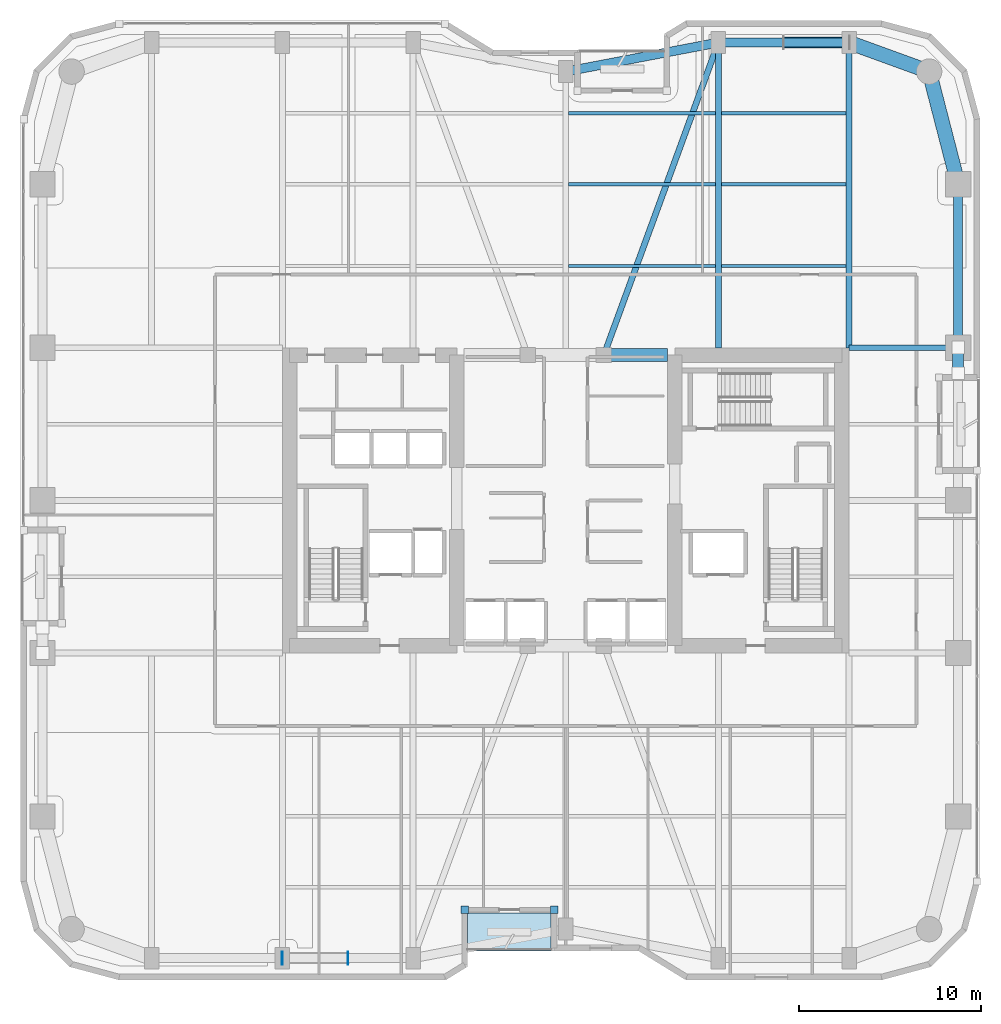
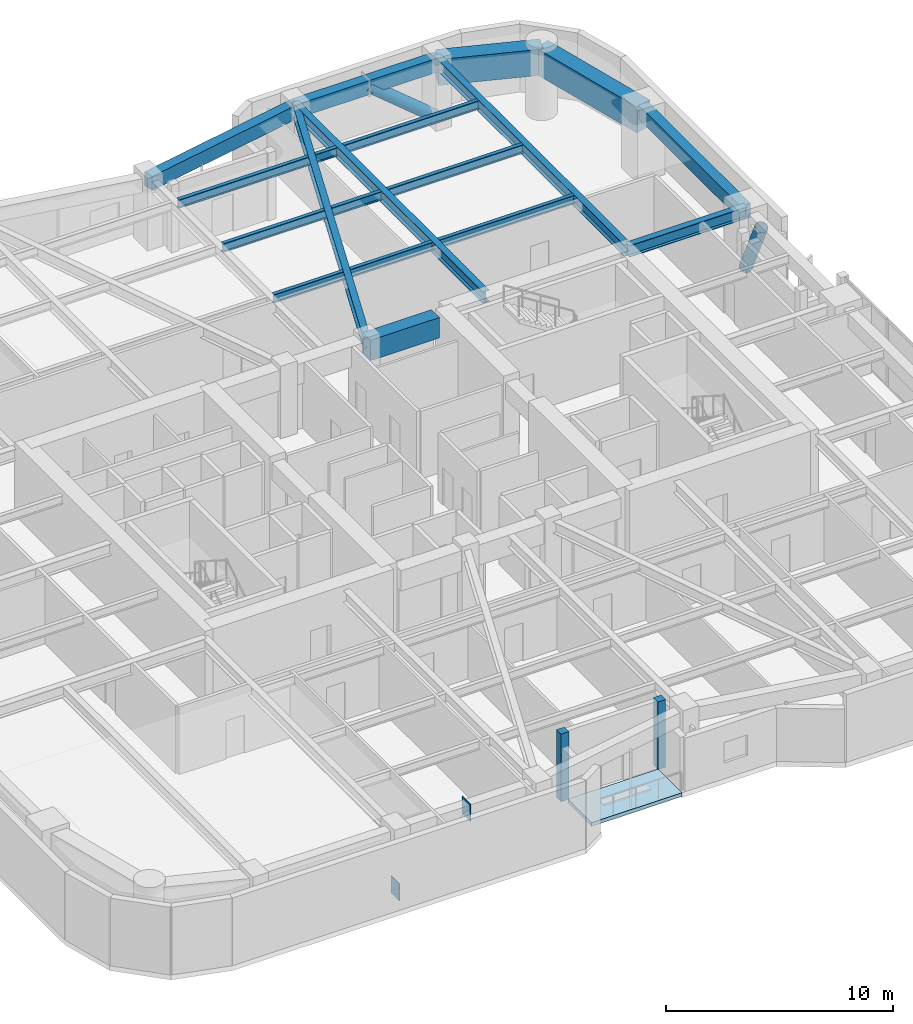
# One storey, part 15 of 24: 16 beams, 4 plates, 2 members, 1 slab.
"""IFC4 building model written with IfcOpenShell, lengths in metres."""

from ifc_helpers import new_model, si_unit, direction, frame, origin, origin_2d, place, context, subcontext, project, spatial, polyline, rectangle, hollow_circle, i_section, outline, extrude, material, layer, layer_set, material_profile, profile_set, type_object, element, save


model = new_model("IFC4")

# Units and contexts
model_context = context("Model", 3, precision=1e-05, world=origin(), true_north=direction((0.0, 1.0)))
body_context = subcontext(model_context, "Body", "Model", "MODEL_VIEW")
ifc_project = project(units=[si_unit("LENGTHUNIT", "METRE"), si_unit("AREAUNIT", "SQUARE_METRE"), si_unit("VOLUMEUNIT", "CUBIC_METRE"), si_unit("PLANEANGLEUNIT", "RADIAN"), si_unit("MASSUNIT", "GRAM", prefix="KILO")], contexts=[model_context])

# Site, building, storey
site_placement = place(None, origin())
site = spatial("IfcSite", under=ifc_project, at=site_placement, CompositionType="ELEMENT")
building_placement = place(site_placement, origin())
building = spatial("IfcBuilding", under=site, at=building_placement, Name="Kiyonajd Concourse Tower", CompositionType="ELEMENT")
storey_placement = place(building_placement, frame((0.0, 0.0, 117.0)))
storey = spatial("IfcBuildingStorey", under=building, at=storey_placement, Name="L30", CompositionType="ELEMENT", Elevation=117.0)

# Beams
ifc_material_1 = material(Name="Concrete C70/85", Category="concrete")
ifc_material_profile_1 = material_profile(ifc_material_1, rectangle(XDim=0.699951171875, YDim=1.10009765625, at=origin_2d()), Name="RCBM-700x1100")
ifc_profile_set_1 = profile_set([ifc_material_profile_1], Name="Concrete C70/85")
beam_type_1 = type_object("IfcBeamType", Name="BM-COUP-1100", PredefinedType="LINTEL", material=ifc_profile_set_1)
beam_1_placement = place(storey_placement, frame((50.10009765625, 44.0, 3.090087890625), z_axis=(1.0, 0.0, 0.0), x_axis=(0.0, 1.0, 0.0)))
element("IfcBeam", 1, at=beam_1_placement, inside=storey, type_object=beam_type_1, Name="L30 Core Coupling Beam N3", PredefinedType="LINTEL", context=body_context, shape_type="SweptSolid", body=[
    extrude(rectangle(XDim=0.699951171875, YDim=1.10009765625, at=origin_2d()), origin(), (0.0, 0.0, 1.0), 3.5),
])
ifc_material_2 = material(Name="Steel ASTM A992 Grade 50", Category="steel")
ifc_material_profile_2 = material_profile(ifc_material_2, i_section(OverallWidth=0.19189453125, OverallDepth=0.462890625, WebThickness=0.010498046875, FlangeThickness=0.017578125, at=origin_2d()), Name="W460X89")
ifc_profile_set_2 = profile_set([ifc_material_profile_2], Name="Steel ASTM A992 Grade 50")
beam_type_2 = type_object("IfcBeamType", Name="BM-JST-460B", PredefinedType="JOIST", material=ifc_profile_set_2)
beam_2_placement = place(storey_placement, frame((48.16357421875, 48.89990234375, 3.408447265625), z_axis=(1.0, 0.0, 0.0), x_axis=(0.0, 1.0, 0.0)))
element("IfcBeam", 2, at=beam_2_placement, inside=storey, type_object=beam_type_2, Name="L30 Secondary Floor Joist", PredefinedType="JOIST", context=body_context, shape_type="SweptSolid", body=[
    extrude(i_section(OverallWidth=0.19189453125, OverallDepth=0.462890625, WebThickness=0.010498046875, FlangeThickness=0.017578125, at=origin_2d()), origin(), (0.0, 0.0, 1.0), 8.072998046875),
])
beam_3_placement = place(storey_placement, frame((56.5634765625, 48.89990234375, 3.408447265625), z_axis=(1.0, 0.0, 0.0), x_axis=(0.0, 1.0, 0.0)))
element("IfcBeam", 3, at=beam_3_placement, inside=storey, type_object=beam_type_2, Name="L30 Secondary Floor Joist", PredefinedType="JOIST", context=body_context, shape_type="SweptSolid", body=[
    extrude(i_section(OverallWidth=0.19189453125, OverallDepth=0.462890625, WebThickness=0.010498046875, FlangeThickness=0.017578125, at=origin_2d()), origin(), (0.0, 0.0, 1.0), 6.873046875),
])
beam_4_placement = place(storey_placement, frame((48.16357421875, 53.39990234375, 3.408447265625), z_axis=(1.0, 0.0, 0.0), x_axis=(0.0, 1.0, 0.0)))
element("IfcBeam", 4, at=beam_4_placement, inside=storey, type_object=beam_type_2, Name="L30 Secondary Floor Joist", PredefinedType="JOIST", context=body_context, shape_type="SweptSolid", body=[
    extrude(i_section(OverallWidth=0.19189453125, OverallDepth=0.462890625, WebThickness=0.010498046875, FlangeThickness=0.017578125, at=origin_2d()), origin(), (0.0, 0.0, 1.0), 8.072998046875),
])
beam_5_placement = place(storey_placement, frame((56.5634765625, 53.39990234375, 3.408447265625), z_axis=(1.0, 0.0, 0.0), x_axis=(0.0, 1.0, 0.0)))
element("IfcBeam", 5, at=beam_5_placement, inside=storey, type_object=beam_type_2, Name="L30 Secondary Floor Joist", PredefinedType="JOIST", context=body_context, shape_type="SweptSolid", body=[
    extrude(i_section(OverallWidth=0.19189453125, OverallDepth=0.462890625, WebThickness=0.010498046875, FlangeThickness=0.017578125, at=origin_2d()), origin(), (0.0, 0.0, 1.0), 6.873046875),
])
beam_6_placement = place(storey_placement, frame((48.16357421875, 57.300048828125, 3.408447265625), z_axis=(1.0, 0.0, 0.0), x_axis=(0.0, 1.0, 0.0)))
element("IfcBeam", 6, at=beam_6_placement, inside=storey, type_object=beam_type_2, Name="L30 Secondary Floor Joist", PredefinedType="JOIST", context=body_context, shape_type="SweptSolid", body=[
    extrude(i_section(OverallWidth=0.19189453125, OverallDepth=0.462890625, WebThickness=0.010498046875, FlangeThickness=0.017578125, at=origin_2d()), origin(), (0.0, 0.0, 1.0), 8.072998046875),
])
beam_7_placement = place(storey_placement, frame((56.5634765625, 57.300048828125, 3.408447265625), z_axis=(1.0, 0.0, 0.0), x_axis=(0.0, 1.0, 0.0)))
element("IfcBeam", 7, at=beam_7_placement, inside=storey, type_object=beam_type_2, Name="L30 Secondary Floor Joist", PredefinedType="JOIST", context=body_context, shape_type="SweptSolid", body=[
    extrude(i_section(OverallWidth=0.19189453125, OverallDepth=0.462890625, WebThickness=0.010498046875, FlangeThickness=0.017578125, at=origin_2d()), origin(), (0.0, 0.0, 1.0), 6.873046875),
])
ifc_material_3 = material(Name="Precast concrete C50/60", Category="concrete")
ifc_material_profile_3 = material_profile(ifc_material_3, rectangle(XDim=0.5, YDim=0.75, at=origin_2d()), Name="RCBM-500x750")
ifc_profile_set_3 = profile_set([ifc_material_profile_3], Name="Precast concrete C50/60")
beam_type_3 = type_object("IfcBeamType", Name="BM-SPAN-RC", PredefinedType="SPANDREL", material=ifc_profile_set_3)
beam_8_placement = place(storey_placement, frame((69.60009765625, 44.39990234375, 3.264892578125), z_axis=(0.0, 1.0, 0.0), x_axis=(-1.0, 0.0, 0.0)))
element("IfcBeam", 8, at=beam_8_placement, inside=storey, type_object=beam_type_3, Name="L30 Perimeter Bundled Tube Spandrel", PredefinedType="SPANDREL", context=body_context, shape_type="SweptSolid", body=[
    extrude(rectangle(XDim=0.5, YDim=0.75, at=origin_2d()), origin(), (0.0, 0.0, 1.0), 9.0),
])
beam_9_placement = place(storey_placement, frame((63.60009765625, 61.199951171875, 3.264892578125), z_axis=(-1.0, 0.0, 0.0), x_axis=(0.0, -1.0, 0.0)))
element("IfcBeam", 9, at=beam_9_placement, inside=storey, type_object=beam_type_3, Name="L30 Perimeter Bundled Tube Spandrel", PredefinedType="SPANDREL", context=body_context, shape_type="SweptSolid", body=[
    extrude(rectangle(XDim=0.5, YDim=0.75, at=origin_2d()), origin(), (0.0, 0.0, 1.0), 7.2001953125),
])
beam_10_placement = place(storey_placement, frame((56.39990234375, 61.199951171875, 3.264892578125), z_axis=(-0.982341315253, -0.187097675953, 0.0), x_axis=(0.187097675953, -0.982341315253, 0.0)))
element("IfcBeam", 10, at=beam_10_placement, inside=storey, type_object=beam_type_3, Name="L30 Perimeter Bundled Tube Spandrel", PredefinedType="SPANDREL", context=body_context, shape_type="SweptSolid", body=[
    extrude(rectangle(XDim=0.5, YDim=0.75, at=origin_2d()), origin(), (0.0, 0.0, 1.0), 8.55078125),
])
ifc_material_profile_4 = material_profile(ifc_material_2, i_section(OverallWidth=0.326904296875, OverallDepth=0.6220703125, WebThickness=0.015380859375, FlangeThickness=0.0244140625, at=origin_2d()), Name="W610X195")
ifc_profile_set_4 = profile_set([ifc_material_profile_4], Name="Steel ASTM A992 Grade 50")
beam_type_4 = type_object("IfcBeamType", Name="BM-TWR-610A", PredefinedType="BEAM", material=ifc_profile_set_4)
beam_11_placement = place(storey_placement, frame((50.10009765625, 44.0, 3.3291015625), z_axis=(0.343925269715, 0.938997022813, 0.0), x_axis=(-0.938997022813, 0.343925269715, 0.0)))
element("IfcBeam", 11, at=beam_11_placement, inside=storey, type_object=beam_type_4, Name="L30 Core Tie Girder", PredefinedType="BEAM", context=body_context, shape_type="SweptSolid", body=[
    extrude(i_section(OverallWidth=0.326904296875, OverallDepth=0.6220703125, WebThickness=0.015380859375, FlangeThickness=0.0244140625, at=origin_2d()), origin(), (0.0, 0.0, 1.0), 18.3173828125),
])
for number, where, z_axis, x_axis, name in (
    (12, (56.39990234375, 44.39990234375, 3.3291015625), (0.0, 1.0, 0.0), (-1.0, 0.0, 0.0), "L30 North Lease Girder"),
    (13, (63.60009765625, 44.39990234375, 3.3291015625), (0.0, 1.0, 0.0), (-1.0, 0.0, 0.0), "L30 North Lease Girder"),
):
    element("IfcBeam", number, at=place(storey_placement, frame(where, z_axis=z_axis, x_axis=x_axis)), inside=storey, type_object=beam_type_4, Name=name, PredefinedType="BEAM", context=body_context, shape_type="SweptSolid", body=[
        extrude(i_section(OverallWidth=0.326904296875, OverallDepth=0.6220703125, WebThickness=0.015380859375, FlangeThickness=0.0244140625, at=origin_2d()), origin(), (0.0, 0.0, 1.0), 16.800048828125),
    ])
beam_12_placement = place(storey_placement, frame((63.60009765625, 44.39990234375, 3.3291015625), z_axis=(1.0, 0.0, 0.0), x_axis=(0.0, 1.0, 0.0)))
element("IfcBeam", 14, at=beam_12_placement, inside=storey, type_object=beam_type_4, Name="L30 East Lease Girder", PredefinedType="BEAM", context=body_context, shape_type="SweptSolid", body=[
    extrude(i_section(OverallWidth=0.326904296875, OverallDepth=0.6220703125, WebThickness=0.015380859375, FlangeThickness=0.0244140625, at=origin_2d()), origin(), (0.0, 0.0, 1.0), 6.0),
])
ifc_material_4 = material(Name="Concrete C60/75", Category="concrete")
ifc_material_profile_5 = material_profile(ifc_material_4, rectangle(XDim=0.800048828125, YDim=1.39990234375, at=origin_2d()), Name="RCBM-800x1400")
ifc_profile_set_5 = profile_set([ifc_material_profile_5], Name="Concrete C60/75")
beam_type_5 = type_object("IfcBeamType", Name="BM-XFER-RC", PredefinedType="BEAM", material=ifc_profile_set_5)
beam_13_placement = place(storey_placement, frame((69.60009765625, 53.39990234375, 2.93994140625), z_axis=(-0.249884937687, 0.968275538221, 0.0), x_axis=(-0.968275538221, -0.249884937687, 0.0)))
element("IfcBeam", 15, at=beam_13_placement, inside=storey, type_object=beam_type_5, Name="L30 Perimeter Bundled Tube Spandrel", PredefinedType="BEAM", context=body_context, shape_type="SweptSolid", body=[
    extrude(rectangle(XDim=0.800048828125, YDim=1.39990234375, at=origin_2d()), origin(), (0.0, 0.0, 1.0), 6.4033203125),
])
beam_14_placement = place(storey_placement, frame((68.0, 59.60009765625, 2.93994140625), z_axis=(-0.939801036019, 0.341722127901, 0.0), x_axis=(-0.341722127901, -0.939801036019, 0.0)))
element("IfcBeam", 16, at=beam_14_placement, inside=storey, type_object=beam_type_5, Name="L30 Perimeter Bundled Tube Spandrel", PredefinedType="BEAM", context=body_context, shape_type="SweptSolid", body=[
    extrude(rectangle(XDim=0.800048828125, YDim=1.39990234375, at=origin_2d()), origin(), (0.0, 0.0, 1.0), 4.681640625),
])

# Members
ifc_material_5 = material(Name="Steel ASTM A572 Grade 50", Category="steel")
ifc_material_profile_6 = material_profile(ifc_material_5, hollow_circle(Radius=0.304931640625, WallThickness=0.02490234375, at=origin_2d()), Name="CHS-610x25")
ifc_profile_set_6 = profile_set([ifc_material_profile_6], Name="Steel ASTM A572 Grade 50")
member_type = type_object("IfcMemberType", Name="MB-PB-LOW", PredefinedType="BRACE", material=ifc_profile_set_6)
member_1_placement = place(storey_placement, frame((63.60009765625, 61.199951171875, 0.300048828125), z_axis=(-0.769280705518, 0.0, 0.638910945373), x_axis=(0.0, -1.0, 0.0)))
element("IfcMember", 17, at=member_1_placement, inside=storey, type_object=member_type, Name="L30 Lower Zone Welded Tube Brace PBN", PredefinedType="BRACE", context=body_context, shape_type="SweptSolid", body=[
    extrude(hollow_circle(Radius=0.304931640625, WallThickness=0.02490234375, at=origin_2d()), origin(), (0.0, 0.0, 1.0), 4.679931640625),
])
member_2_placement = place(storey_placement, frame((69.60009765625, 44.39990234375, 0.300048828125), z_axis=(0.0, -0.424022702926, 0.905651559598), x_axis=(1.0, 0.0, 0.0)))
element("IfcMember", 18, at=member_2_placement, inside=storey, type_object=member_type, Name="L30 Lower Zone Welded Tube Brace PBE", PredefinedType="BRACE", context=body_context, shape_type="SweptSolid", body=[
    extrude(hollow_circle(Radius=0.304931640625, WallThickness=0.02490234375, at=origin_2d()), origin(), (0.0, 0.0, 1.0), 3.301513671875),
])

# Plates
ifc_layer_1 = layer(ifc_material_5, 0.028076171875)
ifc_layer_set_1 = layer_set([ifc_layer_1], Name="Steel ASTM A572 Grade 50")
plate_type_1 = type_object("IfcPlateType", Name="PL-CAP-450", PredefinedType="USERDEFINED", material=ifc_layer_set_1)
for number, where, z_axis, x_axis, name in (
    (19, (32.3916015625, 10.800048828125, -0.173583984375), (0.0, 0.0, 1.0), (-1.0, 0.0, 0.0), "L30 Hollow Brace End Cap Plate PBS"),
    (20, (36.008544921875, 10.800048828125, 2.83056640625), (0.0, 0.0, 1.0), (1.0, 0.0, 0.0), "L30 Hollow Brace Top Cap Plate PBS"),
):
    element("IfcPlate", number, at=place(storey_placement, frame(where, z_axis=z_axis, x_axis=x_axis)), inside=storey, type_object=plate_type_1, Name=name, ObjectType="CAP PLATE", PredefinedType="USERDEFINED", context=body_context, shape_type="SweptSolid", body=[
        extrude(rectangle(XDim=0.035888671875, YDim=0.72998046875, at=origin_2d()), origin(), (0.0, 0.0, 1.0), 0.93310546875),
    ])
ifc_material_6 = material(Name="Thermally Broken Anodised Aluminium", Category="aluminium")
ifc_layer_2 = layer(ifc_material_6, 0.39990234375)
ifc_layer_set_2 = layer_set([ifc_layer_2], Name="Thermally Broken Anodised Aluminium")
plate_type_2 = type_object("IfcPlateType", Name="PL-JMB-400", PredefinedType="USERDEFINED", material=ifc_layer_set_2)
for number, where, z_axis, x_axis, name in (
    (21, (47.360107421875, 13.4599609375, 0.0), (0.0, 0.0, 1.0), (1.0, 0.0, 0.0), "L30 Facade Jamb Closure Plate 13"),
    (22, (42.43994140625, 13.4599609375, 0.0), (0.0, 0.0, 1.0), (1.0, 0.0, 0.0), "L30 Facade Jamb Closure Plate 14"),
):
    element("IfcPlate", number, at=place(storey_placement, frame(where, z_axis=z_axis, x_axis=x_axis)), inside=storey, type_object=plate_type_2, Name=name, ObjectType="JAMB PLATE", PredefinedType="USERDEFINED", context=body_context, shape_type="SweptSolid", body=[
        extrude(rectangle(XDim=0.39990234375, YDim=0.39990234375, at=origin_2d()), origin(), (0.0, 0.0, 1.0), 3.639892578125),
    ])

# Slab
ifc_layer_3 = layer(ifc_material_3, 0.199951171875)
ifc_layer_set_3 = layer_set([ifc_layer_3], Name="Precast concrete C50/60")
slab_type = type_object("IfcSlabType", Name="SL-LOG-200", PredefinedType="FLOOR", material=ifc_layer_set_3)
slab_placement = place(storey_placement, frame((0.0, 0.0, -0.199951171875)))
element("IfcSlab", 23, at=slab_placement, inside=storey, type_object=slab_type, Name="L30 Recessed Engawa Loggia Terrace Slab LOG-S", PredefinedType="FLOOR", context=body_context, shape_type="SweptSolid", body=[
    extrude(outline(polyline([(42.60009765625, 11.199951171875), (47.199951171875, 11.199951171875), (47.199951171875, 13.300048828125), (42.60009765625, 13.300048828125), (42.60009765625, 11.199951171875)])), origin(), (0.0, 0.0, 1.0), 0.199951171875),
])

save(model, "model.ifc")
